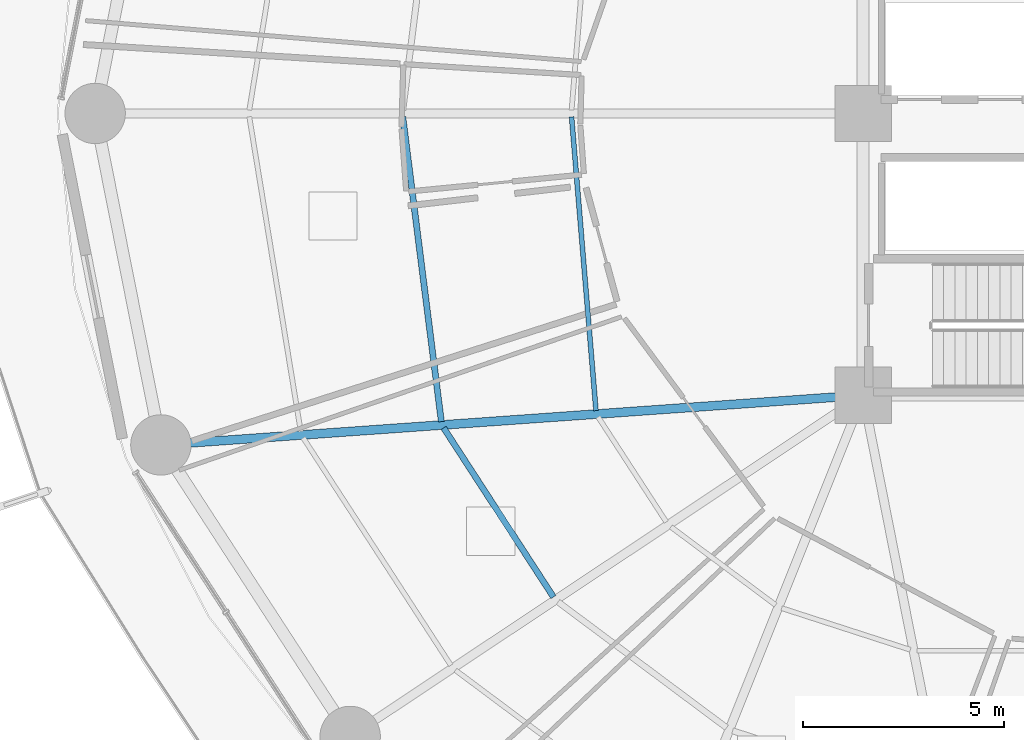
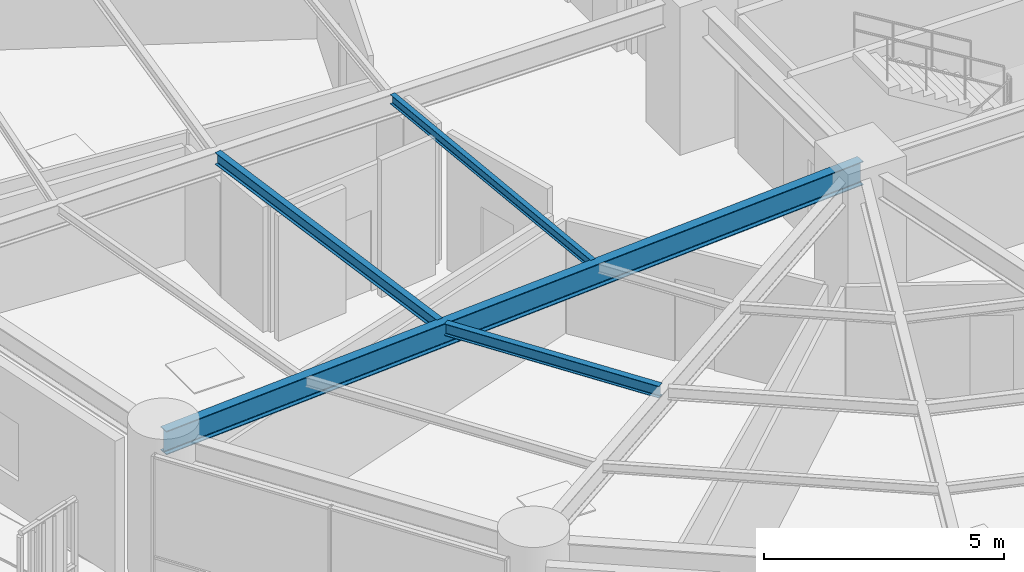
# One storey, part 5 of 32: 4 beams.
"""IFC4 building model written with IfcOpenShell, lengths in metres."""

from ifc_helpers import new_model, si_unit, direction, frame, origin, origin_2d, place, context, subcontext, project, spatial, i_section, extrude, material, material_profile, profile_set, type_object, element, save


model = new_model("IFC4")

# Units and contexts
model_context = context("Model", 3, precision=1e-05, world=origin(), true_north=direction((0.0, 1.0)))
body_context = subcontext(model_context, "Body", "Model", "MODEL_VIEW")
ifc_project = project(units=[si_unit("LENGTHUNIT", "METRE"), si_unit("AREAUNIT", "SQUARE_METRE"), si_unit("VOLUMEUNIT", "CUBIC_METRE"), si_unit("PLANEANGLEUNIT", "RADIAN"), si_unit("MASSUNIT", "GRAM", prefix="KILO")], contexts=[model_context])

# Site, building, storey
site_placement = place(None, origin())
site = spatial("IfcSite", under=ifc_project, at=site_placement, CompositionType="ELEMENT")
building_placement = place(site_placement, origin())
building = spatial("IfcBuilding", under=site, at=building_placement, Name="Kelanora Arch Commons", CompositionType="ELEMENT")
storey_placement = place(building_placement, frame((0.0, 0.0, 56.25)))
storey = spatial("IfcBuildingStorey", under=building, at=storey_placement, Name="L14", CompositionType="ELEMENT", Elevation=56.25)

# Beams
ifc_material = material(Name="Steel S355", Category="steel")
ifc_material_profile_1 = material_profile(ifc_material, i_section(OverallWidth=0.14990234375, OverallDepth=0.300048828125, WebThickness=0.007080078125, FlangeThickness=0.0107421875, FilletRadius=0.014892578125, at=origin_2d()), Name="IPE300")
ifc_profile_set_1 = profile_set([ifc_material_profile_1], Name="Steel S355")
beam_type_1 = type_object("IfcBeamType", Name="BM-JST-01", PredefinedType="JOIST", material=ifc_profile_set_1)
beam_1_placement = place(storey_placement, frame((54.562744140625, 57.915771484375, 3.340087890625), z_axis=(0.125565841651, -0.992085288375, 0.0), x_axis=(0.992085288375, 0.125565841651, 0.0)))
element("IfcBeam", 1, at=beam_1_placement, inside=storey, type_object=beam_type_1, Name="Secondary Chord Joist BJB-18 L14", PredefinedType="JOIST", context=body_context, shape_type="SweptSolid", body=[
    extrude(i_section(OverallWidth=0.14990234375, OverallDepth=0.300048828125, WebThickness=0.007080078125, FlangeThickness=0.0107421875, FilletRadius=0.014892578125, at=origin_2d()), origin(), (0.0, 0.0, 1.0), 7.63330078125),
])
beam_2_placement = place(storey_placement, frame((55.578125, 50.187255859375, 3.340087890625), z_axis=(0.544551588245, -0.838727350061, 0.0), x_axis=(0.838727350061, 0.544551588245, 0.0)))
element("IfcBeam", 2, at=beam_2_placement, inside=storey, type_object=beam_type_1, Name="Secondary Chord Joist BJB-20 L14", PredefinedType="JOIST", context=body_context, shape_type="SweptSolid", body=[
    extrude(i_section(OverallWidth=0.14990234375, OverallDepth=0.300048828125, WebThickness=0.007080078125, FlangeThickness=0.0107421875, FilletRadius=0.014892578125, at=origin_2d()), origin(), (0.0, 0.0, 1.0), 5.010986328125),
])
ifc_material_profile_2 = material_profile(ifc_material, i_section(OverallWidth=0.1201171875, OverallDepth=0.239990234375, WebThickness=0.006103515625, FlangeThickness=0.009765625, FilletRadius=0.014892578125, at=origin_2d()), Name="IPE240")
ifc_profile_set_2 = profile_set([ifc_material_profile_2], Name="Steel S355")
beam_type_2 = type_object("IfcBeamType", Name="BM-JST-02", PredefinedType="JOIST", material=ifc_profile_set_2)
beam_3_placement = place(storey_placement, frame((58.756591796875, 57.915283203125, 3.3701171875), z_axis=(0.082786209886, -0.996567330115, 0.0), x_axis=(0.996567330115, 0.082786209886, 0.0)))
element("IfcBeam", 3, at=beam_3_placement, inside=storey, type_object=beam_type_2, Name="Secondary Chord Joist BJA-18 L14", PredefinedType="JOIST", context=body_context, shape_type="SweptSolid", body=[
    extrude(i_section(OverallWidth=0.1201171875, OverallDepth=0.239990234375, WebThickness=0.006103515625, FlangeThickness=0.009765625, FilletRadius=0.014892578125, at=origin_2d()), origin(), (0.0, 0.0, 1.0), 7.325439453125),
])
ifc_material_profile_3 = material_profile(ifc_material, i_section(OverallWidth=0.219970703125, OverallDepth=0.60009765625, WebThickness=0.011962890625, FlangeThickness=0.01904296875, FilletRadius=0.02392578125, at=origin_2d()), Name="IPE600")
ifc_profile_set_3 = profile_set([ifc_material_profile_3], Name="Steel S355")
beam_type_3 = type_object("IfcBeamType", Name="BM-RAD-Z1", PredefinedType="BEAM", material=ifc_profile_set_3)
beam_4_placement = place(storey_placement, frame((66.0, 51.0, 3.18994140625), z_axis=(-0.997500683472, -0.070656821848, 0.0), x_axis=(0.070656821848, -0.997500683472, 0.0)))
element("IfcBeam", 4, at=beam_4_placement, inside=storey, type_object=beam_type_3, Name="Radial Floor Girder BR-20 L14", PredefinedType="BEAM", context=body_context, shape_type="SweptSolid", body=[
    extrude(i_section(OverallWidth=0.219970703125, OverallDepth=0.60009765625, WebThickness=0.011962890625, FlangeThickness=0.01904296875, FilletRadius=0.02392578125, at=origin_2d()), origin(), (0.0, 0.0, 1.0), 17.49072265625),
])

save(model, "model.ifc")
